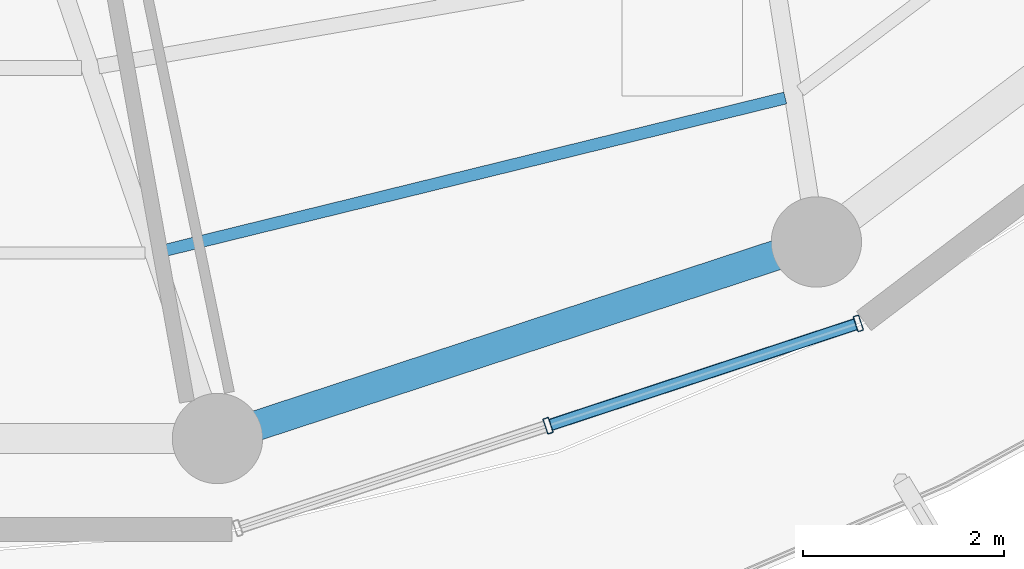
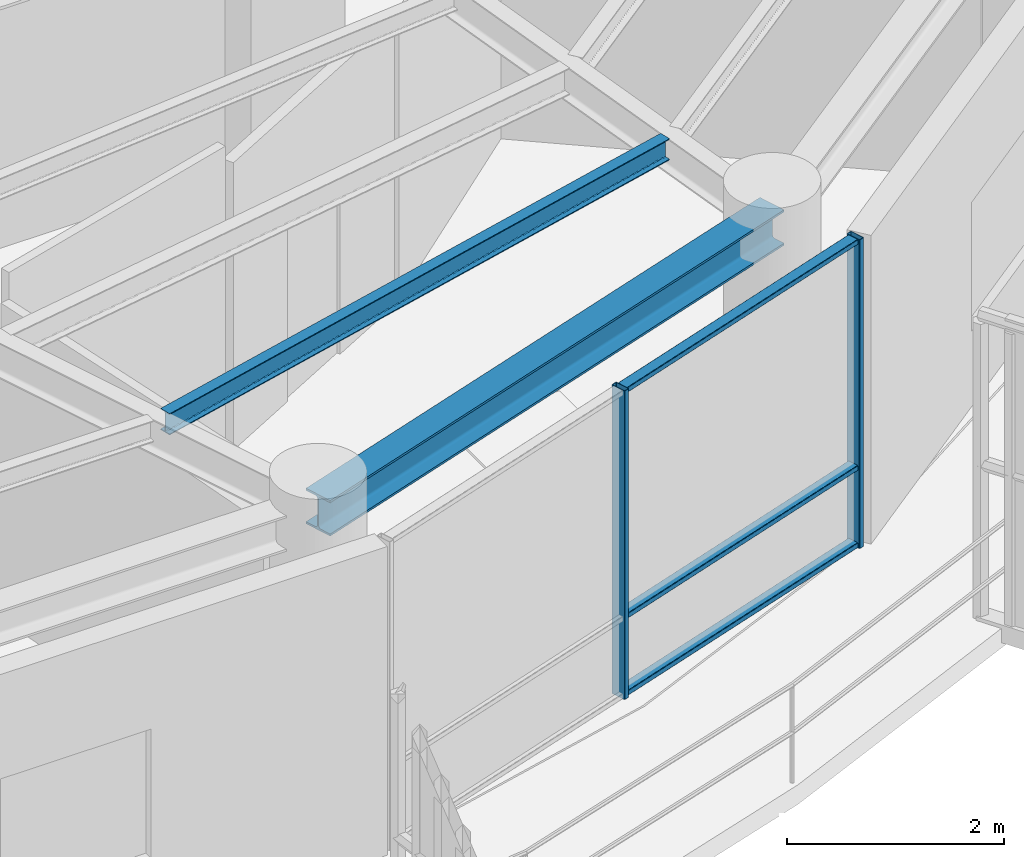
# One storey, part 4 of 23: 5 members, 2 beams, 1 element without a shape of its own.
"""IFC4 building model written with IfcOpenShell, lengths in metres."""

from ifc_helpers import new_model, si_unit, direction, frame, origin, origin_2d, place, context, subcontext, project, spatial, hollow_rectangle, i_section, extrude, material, layer, layer_set, material_profile, profile_set, type_object, element, aggregate, save


model = new_model("IFC4")

# Units and contexts
model_context = context("Model", 3, precision=1e-05, world=origin(), true_north=direction((0.0, 1.0)))
body_context = subcontext(model_context, "Body", "Model", "MODEL_VIEW")
ifc_project = project(units=[si_unit("LENGTHUNIT", "METRE"), si_unit("AREAUNIT", "SQUARE_METRE"), si_unit("VOLUMEUNIT", "CUBIC_METRE"), si_unit("PLANEANGLEUNIT", "RADIAN"), si_unit("MASSUNIT", "GRAM", prefix="KILO")], contexts=[model_context])

# Site, building, storey
site_placement = place(None, origin())
site = spatial("IfcSite", under=ifc_project, at=site_placement, CompositionType="ELEMENT")
building_placement = place(site_placement, origin())
building = spatial("IfcBuilding", under=site, at=building_placement, Name="Kelanora Arch Commons", CompositionType="ELEMENT")
storey_placement = place(building_placement, frame((0.0, 0.0, 252.449951171875)))
storey = spatial("IfcBuildingStorey", under=building, at=storey_placement, Name="L64", CompositionType="ELEMENT", Elevation=252.449951171875)

# Beams
ifc_material_1 = material(Name="Steel S355", Category="steel")
ifc_material_profile_1 = material_profile(ifc_material_1, i_section(OverallWidth=0.1201171875, OverallDepth=0.239990234375, WebThickness=0.006103515625, FlangeThickness=0.009765625, FilletRadius=0.014892578125, at=origin_2d()), Name="IPE240")
ifc_profile_set_1 = profile_set([ifc_material_profile_1], Name="Steel S355")
beam_type_1 = type_object("IfcBeamType", Name="BM-JST-02", PredefinedType="JOIST", material=ifc_profile_set_1)
beam_1_placement = place(storey_placement, frame((76.6220703125, 43.63671875, 3.3701171875), z_axis=(0.971109719488, 0.23863342749, 0.0), x_axis=(-0.23863342749, 0.971109719488, 0.0)))
element("IfcBeam", 1, at=beam_1_placement, inside=storey, type_object=beam_type_1, Name="Secondary Chord Joist BJC-28 L64", PredefinedType="JOIST", context=body_context, shape_type="SweptSolid", body=[
    extrude(i_section(OverallWidth=0.1201171875, OverallDepth=0.239990234375, WebThickness=0.006103515625, FlangeThickness=0.009765625, FilletRadius=0.014892578125, at=origin_2d()), origin(), (0.0, 0.0, 1.0), 6.39208984375),
])
ifc_material_profile_2 = material_profile(ifc_material_1, i_section(OverallWidth=0.300048828125, OverallDepth=0.39990234375, WebThickness=0.013427734375, FlangeThickness=0.02392578125, FilletRadius=0.027099609375, at=origin_2d()), Name="HEB400")
ifc_profile_set_2 = profile_set([ifc_material_profile_2], Name="Steel S355")
beam_type_2 = type_object("IfcBeamType", Name="BM-SPN-Z4", PredefinedType="SPANDREL", material=ifc_profile_set_2)
beam_2_placement = place(storey_placement, frame((77.17431640625, 41.7705078125, 3.2900390625), z_axis=(0.950165923039, 0.311744636996, 0.0), x_axis=(-0.311744636996, 0.950165923039, 0.0)))
element("IfcBeam", 2, at=beam_2_placement, inside=storey, type_object=beam_type_2, Name="Perimeter Spandrel Beam BS-28 L64", PredefinedType="SPANDREL", context=body_context, shape_type="SweptSolid", body=[
    extrude(i_section(OverallWidth=0.300048828125, OverallDepth=0.39990234375, WebThickness=0.013427734375, FlangeThickness=0.02392578125, FilletRadius=0.027099609375, at=origin_2d()), origin(), (0.0, 0.0, 1.0), 6.278564453125),
])

# Curtain wall, members
ifc_material_2 = material(Name="Terracotta ceramic-fritted low-E glass and aluminium", Category="masonry")
ifc_layer = layer(ifc_material_2, 0.18994140625)
ifc_layer_set = layer_set([ifc_layer], Name="Terracotta ceramic-fritted low-E glass and aluminium")
curtain_wall_type = type_object("IfcCurtainWallType", Name="CW-SYS-03", PredefinedType="NOTDEFINED", material=ifc_layer_set)
curtain_wall_placement = place(storey_placement, origin())
curtain_wall = element("IfcCurtainWall", 3, at=curtain_wall_placement, inside=storey, type_object=curtain_wall_type, Name="Unitised Curtain Wall L64-B14", PredefinedType="NOTDEFINED")
ifc_material_3 = material(Name="Powder-coated aluminium terracotta", Category="masonry")
ifc_material_profile_3 = material_profile(ifc_material_3, hollow_rectangle(XDim=0.159912109375, YDim=0.06005859375, WallThickness=0.0048828125, InnerFilletRadius=0.0048828125, OuterFilletRadius=0.010009765625, at=origin_2d()), Name="CWM160x60")
ifc_profile_set_3 = profile_set([ifc_material_profile_3], Name="Powder-coated aluminium terracotta")
member_type_1 = type_object("IfcMemberType", Name="CWM-STD", PredefinedType="MULLION", material=ifc_profile_set_3)
member_1_placement = place(storey_placement, frame((80.467041015625, 41.897705078125, 0.0), z_axis=(0.0, 0.0, 1.0), x_axis=(-0.313252785344, 0.949669780752, 0.0)))
member_1 = element("IfcMember", 4, at=member_1_placement, type_object=member_type_1, Name="CW-03 mullion 2", PredefinedType="MULLION", context=body_context, shape_type="SweptSolid", body=[
    extrude(hollow_rectangle(XDim=0.159912109375, YDim=0.06005859375, WallThickness=0.0048828125, InnerFilletRadius=0.0048828125, OuterFilletRadius=0.010009765625, at=origin_2d()), origin(), (0.0, 0.0, 1.0), 3.47509765625),
])
member_2_placement = place(storey_placement, frame((83.557373046875, 42.9169921875, 0.0), z_axis=(0.0, 0.0, 1.0), x_axis=(-0.313252785344, 0.949669780752, 0.0)))
member_2 = element("IfcMember", 5, at=member_2_placement, type_object=member_type_1, Name="CW-03 mullion 3", PredefinedType="MULLION", context=body_context, shape_type="SweptSolid", body=[
    extrude(hollow_rectangle(XDim=0.159912109375, YDim=0.06005859375, WallThickness=0.0048828125, InnerFilletRadius=0.0048828125, OuterFilletRadius=0.010009765625, at=origin_2d()), origin(), (0.0, 0.0, 1.0), 3.47509765625),
])
ifc_material_profile_4 = material_profile(ifc_material_3, hollow_rectangle(XDim=0.1201171875, YDim=0.06005859375, WallThickness=0.0048828125, InnerFilletRadius=0.0048828125, OuterFilletRadius=0.010009765625, at=origin_2d()), Name="CWT120x60")
ifc_profile_set_4 = profile_set([ifc_material_profile_4], Name="Powder-coated aluminium terracotta")
member_type_2 = type_object("IfcMemberType", Name="CWT-STD", PredefinedType="USERDEFINED", material=ifc_profile_set_4)
member_3_placement = place(storey_placement, frame((80.49560546875, 41.9072265625, 0.030029296875), z_axis=(0.949672315102, 0.313245102003, 0.0), x_axis=(-0.313245102003, 0.949672315102, 0.0)))
member_3 = element("IfcMember", 6, at=member_3_placement, type_object=member_type_2, Name="CW-03 transom 2.1", ObjectType="TRANSOM", PredefinedType="USERDEFINED", context=body_context, shape_type="SweptSolid", body=[
    extrude(hollow_rectangle(XDim=0.1201171875, YDim=0.06005859375, WallThickness=0.0048828125, InnerFilletRadius=0.0048828125, OuterFilletRadius=0.010009765625, at=origin_2d()), origin(), (0.0, 0.0, 1.0), 3.19384765625),
])
member_4_placement = place(storey_placement, frame((80.49560546875, 41.9072265625, 0.900146484375), z_axis=(0.949672315102, 0.313245102003, 0.0), x_axis=(-0.313245102003, 0.949672315102, 0.0)))
member_4 = element("IfcMember", 7, at=member_4_placement, type_object=member_type_2, Name="CW-03 transom 2.2", ObjectType="TRANSOM", PredefinedType="USERDEFINED", context=body_context, shape_type="SweptSolid", body=[
    extrude(hollow_rectangle(XDim=0.1201171875, YDim=0.06005859375, WallThickness=0.0048828125, InnerFilletRadius=0.0048828125, OuterFilletRadius=0.010009765625, at=origin_2d()), origin(), (0.0, 0.0, 1.0), 3.19384765625),
])
member_5_placement = place(storey_placement, frame((80.49560546875, 41.9072265625, 3.445068359375), z_axis=(0.949672315102, 0.313245102003, 0.0), x_axis=(-0.313245102003, 0.949672315102, 0.0)))
member_5 = element("IfcMember", 8, at=member_5_placement, type_object=member_type_2, Name="CW-03 transom 2.3", ObjectType="TRANSOM", PredefinedType="USERDEFINED", context=body_context, shape_type="SweptSolid", body=[
    extrude(hollow_rectangle(XDim=0.1201171875, YDim=0.06005859375, WallThickness=0.0048828125, InnerFilletRadius=0.0048828125, OuterFilletRadius=0.010009765625, at=origin_2d()), origin(), (0.0, 0.0, 1.0), 3.19384765625),
])
aggregate(curtain_wall, [member_1, member_2, member_3, member_4, member_5])

save(model, "model.ifc")
